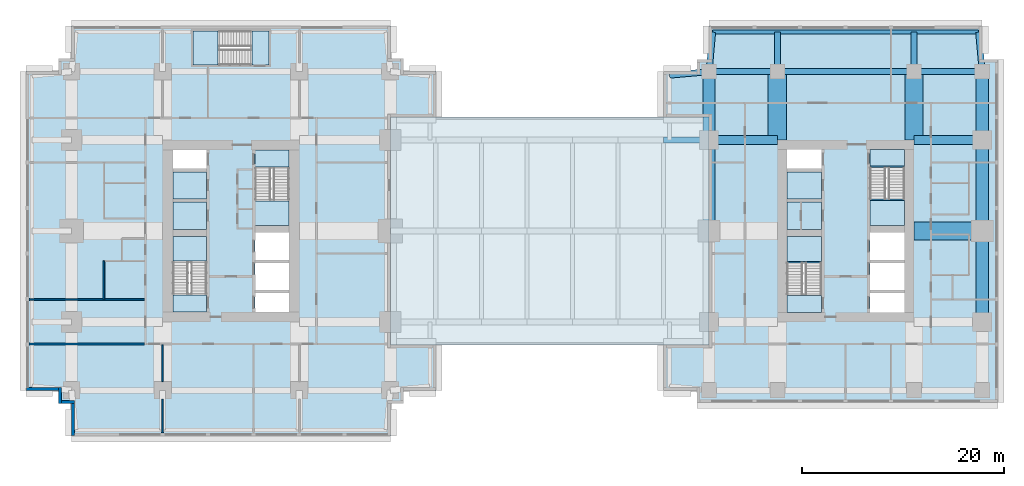
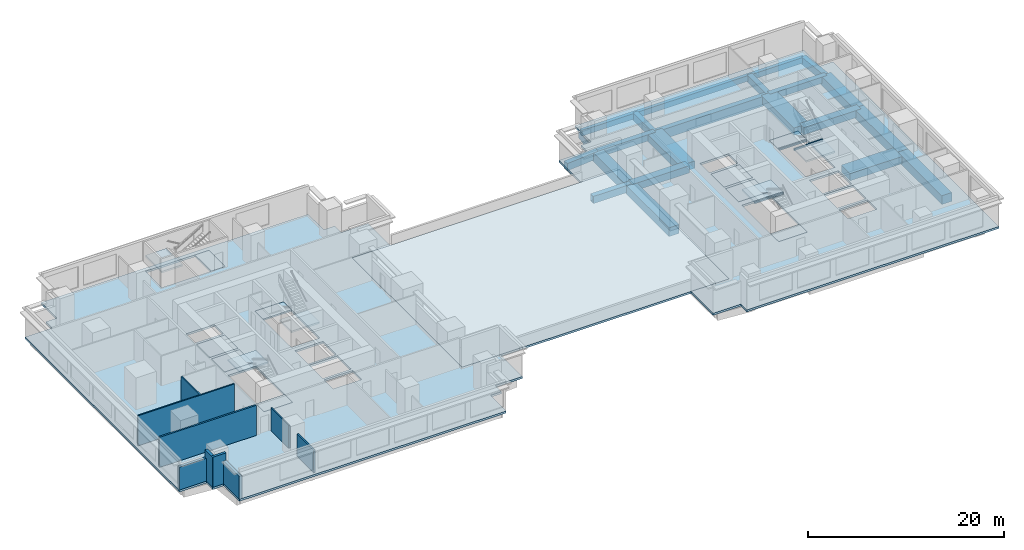
# One storey, part 2 of 10: 23 beams, 17 slabs, 9 walls, 5 elements without a shape of their own.
"""IFC4 building model written with IfcOpenShell, lengths in metres."""

from ifc_helpers import new_model, si_unit, direction, frame, frame_2d, origin, origin_2d, place, context, subcontext, project, spatial, polyline, rectangle, hollow_rectangle, i_section, outline, extrude, material, layer, layer_set, material_profile, profile_set, type_object, element, aggregate, save


model = new_model("IFC4")

# Units and contexts
model_context = context("Model", 3, precision=1e-05, world=origin(), true_north=direction((0.0, 1.0)))
body_context = subcontext(model_context, "Body", "Model", "MODEL_VIEW")
ifc_project = project(units=[si_unit("LENGTHUNIT", "METRE"), si_unit("AREAUNIT", "SQUARE_METRE"), si_unit("VOLUMEUNIT", "CUBIC_METRE"), si_unit("PLANEANGLEUNIT", "RADIAN"), si_unit("MASSUNIT", "GRAM", prefix="KILO")], contexts=[model_context])

# Site, building, storey
site_placement = place(None, origin())
site = spatial("IfcSite", under=ifc_project, at=site_placement, CompositionType="ELEMENT")
building_placement = place(site_placement, origin())
building = spatial("IfcBuilding", under=site, at=building_placement, Name="Namib Vertical Campus", CompositionType="ELEMENT")
storey_placement = place(building_placement, frame((0.0, 0.0, 137.0)))
storey = spatial("IfcBuildingStorey", under=building, at=storey_placement, Name="L32", CompositionType="ELEMENT", Elevation=137.0)

# Beams
ifc_material_1 = material(Name="Steel S355JR", Category="steel")
ifc_material_profile_1 = material_profile(ifc_material_1, hollow_rectangle(XDim=0.60009765625, YDim=0.89990234375, WallThickness=0.050048828125, at=origin_2d()))
ifc_profile_set_1 = profile_set([ifc_material_profile_1], Name="Steel S355JR")
beam_type_1 = type_object("IfcBeamType", Name="Bridge girder WB 900x600x50", PredefinedType="BEAM", material=ifc_profile_set_1)
beam_1_placement = place(storey_placement, frame((63.0, 29.25, -0.699951171875), z_axis=(1.0, 0.0, 0.0), x_axis=(0.0, 1.0, 0.0)))
element("IfcBeam", 1, at=beam_1_placement, inside=storey, type_object=beam_type_1, Name="Bridge girder BG1 L32", PredefinedType="BEAM", context=body_context, shape_type="SweptSolid", body=[
    extrude(hollow_rectangle(XDim=0.60009765625, YDim=0.89990234375, WallThickness=0.050048828125, at=origin_2d()), origin(), (0.0, 0.0, 1.0), 4.5),
])
ifc_material_2 = material(Name="Concrete C40/50", Category="concrete")
ifc_material_profile_2 = material_profile(ifc_material_2, rectangle(XDim=0.60009765625, YDim=0.89990234375, at=origin_2d()))
ifc_profile_set_2 = profile_set([ifc_material_profile_2], Name="Concrete C40/50")
beam_type_2 = type_object("IfcBeamType", Name="Cantilever girder RC 600x900", PredefinedType="BEAM", material=ifc_profile_set_2)
beam_2_placement = place(storey_placement, frame((67.5, 36.0, -0.699951171875), z_axis=(0.089411326146, 0.995994786511, 0.0), x_axis=(-0.995994786511, 0.089411326146, 0.0)))
element("IfcBeam", 2, at=beam_2_placement, inside=storey, type_object=beam_type_2, Name="Beam B3 L32", PredefinedType="BEAM", context=body_context, shape_type="SweptSolid", body=[
    extrude(rectangle(XDim=0.60009765625, YDim=0.89990234375, at=origin_2d()), origin(), (0.0, 0.0, 1.0), 3.91552734375),
])
for number, where, z_axis, x_axis, name in (
    (3, (74.25, 36.0, -0.699951171875), (0.0, 1.0, 0.0), (-1.0, 0.0, 0.0), "Beam B3 L32"),
    (4, (87.75, 36.0, -0.699951171875), (0.0, 1.0, 0.0), (-1.0, 0.0, 0.0), "Beam B3 L32"),
):
    element("IfcBeam", number, at=place(storey_placement, frame(where, z_axis=z_axis, x_axis=x_axis)), inside=storey, type_object=beam_type_2, Name=name, PredefinedType="BEAM", context=body_context, shape_type="SweptSolid", body=[
        extrude(rectangle(XDim=0.60009765625, YDim=0.89990234375, at=origin_2d()), origin(), (0.0, 0.0, 1.0), 3.89990234375),
    ])
for number, where, z_axis, x_axis, name in (
    (5, (94.5, 36.0, -0.699951171875), (-0.089411326146, 0.995994786511, 0.0), (-0.995994786511, -0.089411326146, 0.0), "Beam B3 L32"),
    (6, (67.5, 36.0, -0.699951171875), (-0.995994786511, -0.089411326146, 0.0), (0.089411326146, -0.995994786511, 0.0), "Beam B3 L32"),
):
    element("IfcBeam", number, at=place(storey_placement, frame(where, z_axis=z_axis, x_axis=x_axis)), inside=storey, type_object=beam_type_2, Name=name, PredefinedType="BEAM", context=body_context, shape_type="SweptSolid", body=[
        extrude(rectangle(XDim=0.60009765625, YDim=0.89990234375, at=origin_2d()), origin(), (0.0, 0.0, 1.0), 3.91552734375),
    ])
ifc_material_3 = material(Name="Concrete C40/50", Category="concrete")
ifc_material_profile_3 = material_profile(ifc_material_3, rectangle(XDim=0.39990234375, YDim=0.699951171875, at=origin_2d()))
ifc_profile_set_3 = profile_set([ifc_material_profile_3], Name="Concrete C40/50")
beam_type_3 = type_object("IfcBeamType", Name="Edge beam RC 400x700", PredefinedType="SPANDREL", material=ifc_profile_set_3)
beam_3_placement = place(storey_placement, frame((67.85009765625, 39.89990234375, -0.60009765625), z_axis=(1.0, 0.0, 0.0), x_axis=(0.0, 1.0, 0.0)))
element("IfcBeam", 7, at=beam_3_placement, inside=storey, type_object=beam_type_3, Name="Beam B4 L32", PredefinedType="SPANDREL", context=body_context, shape_type="SweptSolid", body=[
    extrude(rectangle(XDim=0.39990234375, YDim=0.699951171875, at=origin_2d()), origin(), (0.0, 0.0, 1.0), 26.2998046875),
])
ifc_material_4 = material(Name="Concrete C40/50", Category="concrete")
ifc_material_profile_4 = material_profile(ifc_material_4, rectangle(XDim=0.89990234375, YDim=0.89990234375, at=origin_2d()))
ifc_profile_set_4 = profile_set([ifc_material_profile_4], Name="Concrete C40/50")
beam_type_4 = type_object("IfcBeamType", Name="Face girder RC 900x900", PredefinedType="BEAM", material=ifc_profile_set_4)
for number, where, z_axis, x_axis, name in (
    (8, (67.5, 29.25, -0.699951171875), (1.0, 0.0, 0.0), (0.0, 1.0, 0.0), "Beam B10 L32"),
    (9, (94.5, 29.25, -0.699951171875), (-1.0, 0.0, 0.0), (0.0, -1.0, 0.0), "Beam B10 L32"),
):
    element("IfcBeam", number, at=place(storey_placement, frame(where, z_axis=z_axis, x_axis=x_axis)), inside=storey, type_object=beam_type_4, Name=name, PredefinedType="BEAM", context=body_context, shape_type="SweptSolid", body=[
        extrude(rectangle(XDim=0.89990234375, YDim=0.89990234375, at=origin_2d()), origin(), (0.0, 0.0, 1.0), 6.75),
    ])
ifc_material_5 = material(Name="Concrete C40/50", Category="concrete")
ifc_material_profile_5 = material_profile(ifc_material_5, rectangle(XDim=1.199951171875, YDim=1.10009765625, at=origin_2d()))
ifc_profile_set_5 = profile_set([ifc_material_profile_5], Name="Concrete C40/50")
beam_type_5 = type_object("IfcBeamType", Name="Face ring beam RC 1200x1100", PredefinedType="BEAM", material=ifc_profile_set_5)
beam_4_placement = place(storey_placement, frame((67.5, 20.25, -0.800048828125), z_axis=(0.0, 1.0, 0.0), x_axis=(-1.0, 0.0, 0.0)))
element("IfcBeam", 10, at=beam_4_placement, inside=storey, type_object=beam_type_5, Name="Beam B11 L32", PredefinedType="BEAM", context=body_context, shape_type="SweptSolid", body=[
    extrude(rectangle(XDim=1.199951171875, YDim=1.10009765625, at=origin_2d()), origin(), (0.0, 0.0, 1.0), 9.0),
])
beam_5_placement = place(storey_placement, frame((67.5, 29.25, -0.800048828125), z_axis=(0.0, 1.0, 0.0), x_axis=(-1.0, 0.0, 0.0)))
element("IfcBeam", 11, at=beam_5_placement, inside=storey, type_object=beam_type_5, Name="Beam B11 L32", PredefinedType="BEAM", context=body_context, shape_type="SweptSolid", body=[
    extrude(rectangle(XDim=1.199951171875, YDim=1.10009765625, at=origin_2d()), origin(), (0.0, 0.0, 1.0), 6.75),
])
for number, where, z_axis, x_axis, name in (
    (12, (94.5, 11.25, -0.800048828125), (0.0, 1.0, 0.0), (-1.0, 0.0, 0.0), "Beam B11 L32"),
    (13, (94.5, 20.25, -0.800048828125), (0.0, 1.0, 0.0), (-1.0, 0.0, 0.0), "Beam B11 L32"),
):
    element("IfcBeam", number, at=place(storey_placement, frame(where, z_axis=z_axis, x_axis=x_axis)), inside=storey, type_object=beam_type_5, Name=name, PredefinedType="BEAM", context=body_context, shape_type="SweptSolid", body=[
        extrude(rectangle(XDim=1.199951171875, YDim=1.10009765625, at=origin_2d()), origin(), (0.0, 0.0, 1.0), 9.0),
    ])
beam_6_placement = place(storey_placement, frame((94.5, 29.25, -0.800048828125), z_axis=(0.0, 1.0, 0.0), x_axis=(-1.0, 0.0, 0.0)))
element("IfcBeam", 14, at=beam_6_placement, inside=storey, type_object=beam_type_5, Name="Beam B11 L32", PredefinedType="BEAM", context=body_context, shape_type="SweptSolid", body=[
    extrude(rectangle(XDim=1.199951171875, YDim=1.10009765625, at=origin_2d()), origin(), (0.0, 0.0, 1.0), 6.75),
])
ifc_material_6 = material(Name="Steel S355JR", Category="steel")
ifc_material_profile_6 = material_profile(ifc_material_6, i_section(OverallWidth=0.14599609375, OverallDepth=0.25146484375, WebThickness=0.006103515625, FlangeThickness=0.008544921875, FilletRadius=0.007568359375, at=origin_2d()))
ifc_profile_set_6 = profile_set([ifc_material_profile_6], Name="Steel S355JR")
beam_type_6 = type_object("IfcBeamType", Name="Landing trimmer UB 254x146x31", PredefinedType="BEAM", material=ifc_profile_set_6)
for number, where, z_axis, x_axis, name in (
    (15, (75.199951171875, 17.153076171875, 1.874267578125), (1.0, 0.0, 0.0), (0.0, 1.0, 0.0), "Landing trimmer LT1 B-S1 L32 2"),
    (16, (83.39990234375, 26.572998046875, -0.125732421875), (1.0, 0.0, 0.0), (0.0, 1.0, 0.0), "Landing trimmer LT1 B-S2 L32 1"),
    (17, (83.39990234375, 23.346923828125, 1.874267578125), (1.0, 0.0, 0.0), (0.0, 1.0, 0.0), "Landing trimmer LT1 B-S2 L32 2"),
):
    element("IfcBeam", number, at=place(storey_placement, frame(where, z_axis=z_axis, x_axis=x_axis)), inside=storey, type_object=beam_type_6, Name=name, PredefinedType="BEAM", context=body_context, shape_type="SweptSolid", body=[
        extrude(i_section(OverallWidth=0.14599609375, OverallDepth=0.25146484375, WebThickness=0.006103515625, FlangeThickness=0.008544921875, FilletRadius=0.007568359375, at=origin_2d()), origin(), (0.0, 0.0, 1.0), 3.400146484375),
    ])
ifc_material_7 = material(Name="Concrete C40/50", Category="concrete")
ifc_material_profile_7 = material_profile(ifc_material_7, rectangle(XDim=0.60009765625, YDim=1.199951171875, at=origin_2d()))
ifc_profile_set_7 = profile_set([ifc_material_profile_7], Name="Concrete C40/50")
beam_type_7 = type_object("IfcBeamType", Name="Long-span ring beam RC 600x1200", PredefinedType="BEAM", material=ifc_profile_set_7)
beam_7_placement = place(storey_placement, frame((74.25, 36.0, -0.85009765625), z_axis=(1.0, 0.0, 0.0), x_axis=(0.0, 1.0, 0.0)))
element("IfcBeam", 18, at=beam_7_placement, inside=storey, type_object=beam_type_7, Name="Beam B9 L32", PredefinedType="BEAM", context=body_context, shape_type="SweptSolid", body=[
    extrude(rectangle(XDim=0.60009765625, YDim=1.199951171875, at=origin_2d()), origin(), (0.0, 0.0, 1.0), 13.5),
])
ifc_material_8 = material(Name="Concrete C40/50", Category="concrete")
ifc_material_profile_8 = material_profile(ifc_material_8, rectangle(XDim=1.800048828125, YDim=0.89990234375, at=origin_2d()))
ifc_profile_set_8 = profile_set([ifc_material_profile_8], Name="Concrete C40/50")
beam_type_8 = type_object("IfcBeamType", Name="Outrigger line girder RC 1800x900", PredefinedType="BEAM", material=ifc_profile_set_8)
for number, where, z_axis, x_axis, name in (
    (19, (74.25, 36.0, -0.699951171875), (0.0, -1.0, 0.0), (1.0, 0.0, 0.0), "Beam B12 L32"),
    (20, (87.75, 36.0, -0.699951171875), (0.0, -1.0, 0.0), (1.0, 0.0, 0.0), "Beam B12 L32"),
    (21, (94.5, 20.25, -0.699951171875), (-1.0, 0.0, 0.0), (0.0, -1.0, 0.0), "Beam B12 L32"),
):
    element("IfcBeam", number, at=place(storey_placement, frame(where, z_axis=z_axis, x_axis=x_axis)), inside=storey, type_object=beam_type_8, Name=name, PredefinedType="BEAM", context=body_context, shape_type="SweptSolid", body=[
        extrude(rectangle(XDim=1.800048828125, YDim=0.89990234375, at=origin_2d()), origin(), (0.0, 0.0, 1.0), 6.75),
    ])
ifc_material_9 = material(Name="Concrete C40/50", Category="concrete")
ifc_material_profile_9 = material_profile(ifc_material_9, rectangle(XDim=0.60009765625, YDim=0.800048828125, at=origin_2d()))
ifc_profile_set_9 = profile_set([ifc_material_profile_9], Name="Concrete C40/50")
beam_type_9 = type_object("IfcBeamType", Name="Ring beam RC 600x800", PredefinedType="BEAM", material=ifc_profile_set_9)
for number, where, z_axis, x_axis, name in (
    (22, (67.5, 36.0, -0.64990234375), (1.0, 0.0, 0.0), (0.0, 1.0, 0.0), "Beam B1 L32"),
    (23, (87.75, 36.0, -0.64990234375), (1.0, 0.0, 0.0), (0.0, 1.0, 0.0), "Beam B1 L32"),
):
    element("IfcBeam", number, at=place(storey_placement, frame(where, z_axis=z_axis, x_axis=x_axis)), inside=storey, type_object=beam_type_9, Name=name, PredefinedType="BEAM", context=body_context, shape_type="SweptSolid", body=[
        extrude(rectangle(XDim=0.60009765625, YDim=0.800048828125, at=origin_2d()), origin(), (0.0, 0.0, 1.0), 6.75),
    ])

# Slabs
ifc_material_10 = material(Name="Concrete C40/50", Category="concrete")
ifc_layer_1 = layer(ifc_material_10, 0.25)
ifc_layer_set_1 = layer_set([ifc_layer_1], Name="Concrete C40/50")
slab_type_1 = type_object("IfcSlabType", Name="Bridge roof slab 250", PredefinedType="ROOF", material=ifc_layer_set_1)
slab_1_placement = place(storey_placement, frame((0.0, 0.0, -0.25)))
element("IfcSlab", 24, at=slab_1_placement, inside=storey, type_object=slab_type_1, Name="Bridge roof (maintenance access only)", PredefinedType="ROOF", context=body_context, shape_type="SweptSolid", body=[
    extrude(outline(polyline([(36.0, 9.0), (67.5, 9.0), (67.5, 31.5), (36.0, 31.5), (36.0, 9.0)])), origin(), (0.0, 0.0, 1.0), 0.25),
])
ifc_material_11 = material(Name="Concrete C40/50", Category="concrete")
ifc_layer_2 = layer(ifc_material_11, 0.25)
ifc_layer_set_2 = layer_set([ifc_layer_2], Name="Concrete C40/50")
slab_type_2 = type_object("IfcSlabType", Name="Floor slab 250", PredefinedType="FLOOR", material=ifc_layer_set_2)
slab_2_placement = place(storey_placement, frame((0.0, 0.0, -0.25)))
element("IfcSlab", 25, at=slab_2_placement, inside=storey, type_object=slab_type_2, Name="Floor slab A L32", PredefinedType="FLOOR", context=body_context, shape_type="SweptSolid", body=[
    extrude(outline(polyline([(4.5, 3.199951171875), (4.5, 0.0), (36.0, 0.0), (36.0, 3.199951171875), (37.300048828125, 3.199951171875), (37.300048828125, 4.5), (40.5, 4.5), (40.5, 9.0), (36.0, 9.0), (36.0, 31.5), (40.5, 31.5), (40.5, 36.0), (37.300048828125, 36.0), (37.300048828125, 37.300048828125), (36.0, 37.300048828125), (36.0, 40.5), (4.5, 40.5), (4.5, 37.300048828125), (3.199951171875, 37.300048828125), (3.199951171875, 36.0), (0.0, 36.0), (0.0, 4.5), (3.199951171875, 4.5), (3.199951171875, 3.199951171875), (4.5, 3.199951171875)]), holes=[polyline([(14.5, 12.25), (17.85009765625, 12.25), (17.85009765625, 19.699951171875), (14.5, 19.699951171875), (14.5, 12.25)]), polyline([(22.64990234375, 20.800048828125), (26.0, 20.800048828125), (26.0, 28.25), (22.64990234375, 28.25), (22.64990234375, 20.800048828125)]), polyline([(22.64990234375, 12.25), (26.0, 12.25), (26.0, 14.10009765625), (22.64990234375, 14.10009765625), (22.64990234375, 12.25)]), polyline([(14.5, 20.39990234375), (17.85009765625, 20.39990234375), (17.85009765625, 23.10009765625), (14.5, 23.10009765625), (14.5, 20.39990234375)]), polyline([(14.5, 23.39990234375), (17.85009765625, 23.39990234375), (17.85009765625, 26.10009765625), (14.5, 26.10009765625), (14.5, 23.39990234375)]), polyline([(14.5, 26.39990234375), (17.85009765625, 26.39990234375), (17.85009765625, 28.25), (14.5, 28.25), (14.5, 26.39990234375)]), polyline([(22.64990234375, 14.39990234375), (26.0, 14.39990234375), (26.0, 17.10009765625), (22.64990234375, 17.10009765625), (22.64990234375, 14.39990234375)]), polyline([(22.64990234375, 17.39990234375), (26.0, 17.39990234375), (26.0, 20.10009765625), (22.64990234375, 20.10009765625), (22.64990234375, 17.39990234375)]), polyline([(16.5, 36.64990234375), (24.0, 36.64990234375), (24.0, 40.0), (16.5, 40.0), (16.5, 36.64990234375)])]), origin(), (0.0, 0.0, 1.0), 0.25),
])
slab_3_placement = place(storey_placement, frame((0.0, 0.0, -0.25)))
element("IfcSlab", 26, at=slab_3_placement, inside=storey, type_object=slab_type_2, Name="Floor slab B L32", PredefinedType="FLOOR", context=body_context, shape_type="SweptSolid", body=[
    extrude(outline(polyline([(63.0, 9.0), (63.0, 4.5), (66.300048828125, 4.5), (66.300048828125, 3.300048828125), (96.050048828125, 3.300048828125), (96.050048828125, 37.199951171875), (94.5, 37.199951171875), (94.5, 40.5), (67.5, 40.5), (67.5, 37.199951171875), (66.300048828125, 37.199951171875), (66.300048828125, 36.0), (63.0, 36.0), (63.0, 31.5), (67.5, 31.5), (67.5, 9.0), (63.0, 9.0)]), holes=[polyline([(75.199951171875, 12.199951171875), (78.60009765625, 12.199951171875), (78.60009765625, 19.699951171875), (75.199951171875, 19.699951171875), (75.199951171875, 12.199951171875)]), polyline([(83.39990234375, 20.800048828125), (86.800048828125, 20.800048828125), (86.800048828125, 28.300048828125), (83.39990234375, 28.300048828125), (83.39990234375, 20.800048828125)]), polyline([(83.39990234375, 12.199951171875), (86.800048828125, 12.199951171875), (86.800048828125, 14.10009765625), (83.39990234375, 14.10009765625), (83.39990234375, 12.199951171875)]), polyline([(75.199951171875, 20.39990234375), (78.60009765625, 20.39990234375), (78.60009765625, 23.10009765625), (75.199951171875, 23.10009765625), (75.199951171875, 20.39990234375)]), polyline([(75.199951171875, 23.39990234375), (78.60009765625, 23.39990234375), (78.60009765625, 26.10009765625), (75.199951171875, 26.10009765625), (75.199951171875, 23.39990234375)]), polyline([(75.199951171875, 26.39990234375), (78.60009765625, 26.39990234375), (78.60009765625, 28.300048828125), (75.199951171875, 28.300048828125), (75.199951171875, 26.39990234375)]), polyline([(83.39990234375, 14.39990234375), (86.800048828125, 14.39990234375), (86.800048828125, 17.10009765625), (83.39990234375, 17.10009765625), (83.39990234375, 14.39990234375)]), polyline([(83.39990234375, 17.39990234375), (86.800048828125, 17.39990234375), (86.800048828125, 20.10009765625), (83.39990234375, 20.10009765625), (83.39990234375, 17.39990234375)])]), origin(), (0.0, 0.0, 1.0), 0.25),
])
ifc_material_12 = material(Name="Concrete C40/50 precast", Category="concrete")
ifc_layer_3 = layer(ifc_material_12, 0.25)
ifc_layer_set_3 = layer_set([ifc_layer_3], Name="Concrete C40/50 precast")
slab_type_3 = type_object("IfcSlabType", Name="Shaft infill floor 250", PredefinedType="FLOOR", material=ifc_layer_set_3)
slab_4_placement = place(storey_placement, frame((0.0, 0.0, -0.25)))
element("IfcSlab", 27, at=slab_4_placement, inside=storey, type_object=slab_type_3, Name="Shaft infill floor A L32 P1", PredefinedType="FLOOR", context=body_context, shape_type="SweptSolid", body=[
    extrude(outline(polyline([(14.5, 20.39990234375), (17.85009765625, 20.39990234375), (17.85009765625, 23.10009765625), (14.5, 23.10009765625), (14.5, 20.39990234375)])), origin(), (0.0, 0.0, 1.0), 0.25),
])
slab_5_placement = place(storey_placement, frame((0.0, 0.0, -0.25)))
element("IfcSlab", 28, at=slab_5_placement, inside=storey, type_object=slab_type_3, Name="Shaft infill floor A L32 P2", PredefinedType="FLOOR", context=body_context, shape_type="SweptSolid", body=[
    extrude(outline(polyline([(14.5, 23.39990234375), (17.85009765625, 23.39990234375), (17.85009765625, 26.10009765625), (14.5, 26.10009765625), (14.5, 23.39990234375)])), origin(), (0.0, 0.0, 1.0), 0.25),
])
slab_6_placement = place(storey_placement, frame((0.0, 0.0, -0.25)))
element("IfcSlab", 29, at=slab_6_placement, inside=storey, type_object=slab_type_3, Name="Shaft infill floor B L32 P1", PredefinedType="FLOOR", context=body_context, shape_type="SweptSolid", body=[
    extrude(outline(polyline([(75.199951171875, 20.39990234375), (78.60009765625, 20.39990234375), (78.60009765625, 23.10009765625), (75.199951171875, 23.10009765625), (75.199951171875, 20.39990234375)])), origin(), (0.0, 0.0, 1.0), 0.25),
])
slab_7_placement = place(storey_placement, frame((0.0, 0.0, -0.25)))
element("IfcSlab", 30, at=slab_7_placement, inside=storey, type_object=slab_type_3, Name="Shaft infill floor B L32 P2", PredefinedType="FLOOR", context=body_context, shape_type="SweptSolid", body=[
    extrude(outline(polyline([(75.199951171875, 23.39990234375), (78.60009765625, 23.39990234375), (78.60009765625, 26.10009765625), (75.199951171875, 26.10009765625), (75.199951171875, 23.39990234375)])), origin(), (0.0, 0.0, 1.0), 0.25),
])

# Stair, slabs
ifc_material_13 = material(Name="Concrete C40/50 precast", Category="concrete")
stair_type_1 = type_object("IfcStairType", Name="Exit stair 4000 rise 24 risers 3350 wide", PredefinedType="HALF_TURN_STAIR", material=ifc_material_13)
stair_1_placement = place(storey_placement, origin())
stair_1 = element("IfcStair", 31, at=stair_1_placement, inside=storey, type_object=stair_type_1, Name="Exit stair A-S1 L32", PredefinedType="HALF_TURN_STAIR")
ifc_material_14 = material(Name="Concrete C40/50", Category="concrete")
ifc_layer_4 = layer(ifc_material_14, 0.199951171875)
ifc_layer_set_4 = layer_set([ifc_layer_4], Name="Concrete C40/50")
slab_type_4 = type_object("IfcSlabType", Name="Stair landing 200", PredefinedType="LANDING", material=ifc_layer_set_4)
slab_8_placement = place(storey_placement, frame((0.0, 0.0, -0.199951171875)))
slab_8 = element("IfcSlab", 32, at=slab_8_placement, type_object=slab_type_4, Name="A-S1 landing 1", PredefinedType="LANDING", context=body_context, shape_type="SweptSolid", body=[
    extrude(outline(polyline([(14.5, 12.25), (17.85009765625, 12.25), (17.85009765625, 13.90380859375), (14.5, 13.90380859375), (14.5, 12.25)])), origin(), (0.0, 0.0, 1.0), 0.199951171875),
])
slab_9_placement = place(storey_placement, frame((0.0, 0.0, 1.800048828125)))
slab_9 = element("IfcSlab", 33, at=slab_9_placement, type_object=slab_type_4, Name="A-S1 landing 2", PredefinedType="LANDING", context=body_context, shape_type="SweptSolid", body=[
    extrude(outline(polyline([(14.5, 17.276123046875), (17.85009765625, 17.276123046875), (17.85009765625, 19.699951171875), (14.5, 19.699951171875), (14.5, 17.276123046875)])), origin(), (0.0, 0.0, 1.0), 0.199951171875),
])
aggregate(stair_1, [slab_8, slab_9])

stair_2_placement = place(storey_placement, origin())
stair_2 = element("IfcStair", 34, at=stair_2_placement, inside=storey, type_object=stair_type_1, Name="Exit stair A-S2 L32", PredefinedType="HALF_TURN_STAIR")
slab_10_placement = place(storey_placement, frame((0.0, 0.0, -0.199951171875)))
slab_10 = element("IfcSlab", 35, at=slab_10_placement, type_object=slab_type_4, Name="A-S2 landing 1", PredefinedType="LANDING", context=body_context, shape_type="SweptSolid", body=[
    extrude(outline(polyline([(22.64990234375, 26.59619140625), (26.0, 26.59619140625), (26.0, 28.25), (22.64990234375, 28.25), (22.64990234375, 26.59619140625)])), origin(), (0.0, 0.0, 1.0), 0.199951171875),
])
slab_11_placement = place(storey_placement, frame((0.0, 0.0, 1.800048828125)))
slab_11 = element("IfcSlab", 36, at=slab_11_placement, type_object=slab_type_4, Name="A-S2 landing 2", PredefinedType="LANDING", context=body_context, shape_type="SweptSolid", body=[
    extrude(outline(polyline([(22.64990234375, 20.800048828125), (26.0, 20.800048828125), (26.0, 23.223876953125), (22.64990234375, 23.223876953125), (22.64990234375, 20.800048828125)])), origin(), (0.0, 0.0, 1.0), 0.199951171875),
])
aggregate(stair_2, [slab_10, slab_11])

ifc_material_15 = material(Name="Concrete C40/50 precast", Category="concrete")
stair_type_2 = type_object("IfcStairType", Name="Exit stair 4000 rise 24 risers 3400 wide", PredefinedType="HALF_TURN_STAIR", material=ifc_material_15)
stair_3_placement = place(storey_placement, origin())
stair_3 = element("IfcStair", 37, at=stair_3_placement, inside=storey, type_object=stair_type_2, Name="Exit stair B-S1 L32", PredefinedType="HALF_TURN_STAIR")
slab_12_placement = place(storey_placement, frame((0.0, 0.0, -0.199951171875)))
slab_12 = element("IfcSlab", 38, at=slab_12_placement, type_object=slab_type_4, Name="B-S1 landing 1", PredefinedType="LANDING", context=body_context, shape_type="SweptSolid", body=[
    extrude(outline(polyline([(75.199951171875, 12.199951171875), (78.60009765625, 12.199951171875), (78.60009765625, 13.85400390625), (75.199951171875, 13.85400390625), (75.199951171875, 12.199951171875)])), origin(), (0.0, 0.0, 1.0), 0.199951171875),
])
slab_13_placement = place(storey_placement, frame((0.0, 0.0, 1.800048828125)))
slab_13 = element("IfcSlab", 39, at=slab_13_placement, type_object=slab_type_4, Name="B-S1 landing 2", PredefinedType="LANDING", context=body_context, shape_type="SweptSolid", body=[
    extrude(outline(polyline([(75.199951171875, 17.22607421875), (78.60009765625, 17.22607421875), (78.60009765625, 19.699951171875), (75.199951171875, 19.699951171875), (75.199951171875, 17.22607421875)])), origin(), (0.0, 0.0, 1.0), 0.199951171875),
])
aggregate(stair_3, [slab_12, slab_13])

stair_4_placement = place(storey_placement, origin())
stair_4 = element("IfcStair", 40, at=stair_4_placement, inside=storey, type_object=stair_type_2, Name="Exit stair B-S2 L32", PredefinedType="HALF_TURN_STAIR")
slab_14_placement = place(storey_placement, frame((0.0, 0.0, -0.199951171875)))
slab_14 = element("IfcSlab", 41, at=slab_14_placement, type_object=slab_type_4, Name="B-S2 landing 1", PredefinedType="LANDING", context=body_context, shape_type="SweptSolid", body=[
    extrude(outline(polyline([(83.39990234375, 26.64599609375), (86.800048828125, 26.64599609375), (86.800048828125, 28.300048828125), (83.39990234375, 28.300048828125), (83.39990234375, 26.64599609375)])), origin(), (0.0, 0.0, 1.0), 0.199951171875),
])
slab_15_placement = place(storey_placement, frame((0.0, 0.0, 1.800048828125)))
slab_15 = element("IfcSlab", 42, at=slab_15_placement, type_object=slab_type_4, Name="B-S2 landing 2", PredefinedType="LANDING", context=body_context, shape_type="SweptSolid", body=[
    extrude(outline(polyline([(83.39990234375, 20.800048828125), (86.800048828125, 20.800048828125), (86.800048828125, 23.27392578125), (83.39990234375, 23.27392578125), (83.39990234375, 20.800048828125)])), origin(), (0.0, 0.0, 1.0), 0.199951171875),
])
aggregate(stair_4, [slab_14, slab_15])

stair_5_placement = place(storey_placement, origin())
stair_5 = element("IfcStair", 43, at=stair_5_placement, inside=storey, type_object=stair_type_1, Name="Exit stair A-S3 L32", PredefinedType="HALF_TURN_STAIR")
slab_16_placement = place(storey_placement, frame((0.0, 0.0, -0.199951171875)))
slab_16 = element("IfcSlab", 44, at=slab_16_placement, type_object=slab_type_4, Name="A-S3 landing 1", PredefinedType="LANDING", context=body_context, shape_type="SweptSolid", body=[
    extrude(outline(polyline([(22.34619140625, 36.64990234375), (22.34619140625, 40.0), (24.0, 40.0), (24.0, 36.64990234375), (22.34619140625, 36.64990234375)])), origin(), (0.0, 0.0, 1.0), 0.199951171875),
])
slab_17_placement = place(storey_placement, frame((0.0, 0.0, 1.800048828125)))
slab_17 = element("IfcSlab", 45, at=slab_17_placement, type_object=slab_type_4, Name="A-S3 landing 2", PredefinedType="LANDING", context=body_context, shape_type="SweptSolid", body=[
    extrude(outline(polyline([(16.5, 36.64990234375), (16.5, 40.0), (18.973876953125, 40.0), (18.973876953125, 36.64990234375), (16.5, 36.64990234375)])), origin(), (0.0, 0.0, 1.0), 0.199951171875),
])
aggregate(stair_5, [slab_16, slab_17])

# Walls
ifc_material_16 = material(Name="Concrete masonry", Category="masonry")
ifc_layer_5 = layer(ifc_material_16, 0.199951171875)
ifc_layer_set_5 = layer_set([ifc_layer_5], Name="Corridor wall 200")
wall_type_1 = type_object("IfcWallType", Name="Corridor wall 200", PredefinedType="SOLIDWALL", material=ifc_layer_set_5)
wall_1_placement = place(storey_placement, frame((0.300048828125, 9.10009765625, 0.0), z_axis=(0.0, 0.0, 1.0), x_axis=(1.0, 0.0, 0.0)))
element("IfcWall", 46, at=wall_1_placement, inside=storey, type_object=wall_type_1, Name="Partition A L32 BSW", PredefinedType="SOLIDWALL", context=body_context, shape_type="SweptSolid", body=[
    extrude(rectangle(XDim=11.39990234375, YDim=0.199951171875, at=frame_2d((5.699951171875, 0.0))), origin(), (0.0, 0.0, 1.0), 3.75),
])
ifc_material_17 = material(Name="Concrete C40/50", Category="concrete")
ifc_layer_6 = layer(ifc_material_17, 0.300048828125)
ifc_layer_set_6 = layer_set([ifc_layer_6], Name="Concrete C40/50")
wall_type_2 = type_object("IfcWallType", Name="External wall 300 board-marked concrete", PredefinedType="STANDARD", material=ifc_layer_set_6)
for number, where, z_axis, x_axis, name in (
    (47, (4.64990234375, 3.47998046875, 0.0), (0.0, 0.0, 1.0), (0.0, -1.0, 0.0), "External wall L32 F01"),
    (48, (0.02001953125, 4.64990234375, 0.0), (0.0, 0.0, 1.0), (1.0, 0.0, 0.0), "External wall L32 F22"),
):
    element("IfcWall", number, at=place(storey_placement, frame(where, z_axis=z_axis, x_axis=x_axis)), inside=storey, type_object=wall_type_2, Name=name, PredefinedType="STANDARD", context=body_context, shape_type="SweptSolid", body=[
        extrude(rectangle(XDim=3.4599609375, YDim=0.300048828125, at=frame_2d((1.72998046875, 0.0))), origin(), (0.0, 0.0, 1.0), 2.85009765625),
    ])
for number, where, z_axis, x_axis, name in (
    (49, (3.35009765625, 4.780029296875, 0.0), (0.0, 0.0, 1.0), (0.0, -1.0, 0.0), "External wall L32 F23"),
    (50, (3.219970703125, 3.35009765625, 0.0), (0.0, 0.0, 1.0), (1.0, 0.0, 0.0), "External wall L32 F24"),
):
    element("IfcWall", number, at=place(storey_placement, frame(where, z_axis=z_axis, x_axis=x_axis)), inside=storey, type_object=wall_type_2, Name=name, PredefinedType="STANDARD", context=body_context, shape_type="SweptSolid", body=[
        extrude(rectangle(XDim=1.56005859375, YDim=0.300048828125, at=frame_2d((0.780029296875, 0.0))), origin(), (0.0, 0.0, 1.0), 3.75),
    ])
ifc_material_18 = material(Name="Gypsum board on steel studs", Category="steel")
ifc_layer_7 = layer(ifc_material_18, 0.14990234375)
ifc_layer_set_7 = layer_set([ifc_layer_7], Name="Gypsum board on steel studs")
wall_type_3 = type_object("IfcWallType", Name="Partition 150", PredefinedType="PARTITIONING", material=ifc_layer_set_7)
wall_2_placement = place(storey_placement, frame((13.5, 0.300048828125, 0.0), z_axis=(0.0, 0.0, 1.0), x_axis=(0.0, 1.0, 0.0)))
element("IfcWall", 51, at=wall_2_placement, inside=storey, type_object=wall_type_3, Name="Partition A L32 PS1", PredefinedType="PARTITIONING", context=body_context, shape_type="SweptSolid", body=[
    extrude(rectangle(XDim=3.329833984375, YDim=0.14990234375, at=frame_2d((1.6650390625, 0.0))), origin(), (0.0, 0.0, 1.0), 2.85009765625),
])
wall_3_placement = place(storey_placement, frame((13.5, 5.3701171875, 0.0), z_axis=(0.0, 0.0, 1.0), x_axis=(0.0, 1.0, 0.0)))
element("IfcWall", 52, at=wall_3_placement, inside=storey, type_object=wall_type_3, Name="Partition A L32 PS1", PredefinedType="PARTITIONING", context=body_context, shape_type="SweptSolid", body=[
    extrude(rectangle(XDim=3.6298828125, YDim=0.14990234375, at=frame_2d((1.81494140625, 0.0))), origin(), (0.0, 0.0, 1.0), 2.85009765625),
])
wall_4_placement = place(storey_placement, frame((0.300048828125, 13.5, 0.0), z_axis=(0.0, 0.0, 1.0), x_axis=(1.0, 0.0, 0.0)))
element("IfcWall", 53, at=wall_4_placement, inside=storey, type_object=wall_type_3, Name="Partition A L32 PW1", PredefinedType="PARTITIONING", context=body_context, shape_type="SweptSolid", body=[
    extrude(rectangle(XDim=11.39990234375, YDim=0.14990234375, at=frame_2d((5.699951171875, 0.0))), origin(), (0.0, 0.0, 1.0), 3.75),
])
wall_5_placement = place(storey_placement, frame((7.699951171875, 13.5, 0.0), z_axis=(0.0, 0.0, 1.0), x_axis=(0.0, 1.0, 0.0)))
element("IfcWall", 54, at=wall_5_placement, inside=storey, type_object=wall_type_3, Name="Partition A L32 WB1", PredefinedType="PARTITIONING", context=body_context, shape_type="SweptSolid", body=[
    extrude(rectangle(XDim=3.800048828125, YDim=0.14990234375, at=frame_2d((1.89990234375, 0.0))), origin(), (0.0, 0.0, 1.0), 3.75),
])

save(model, "model.ifc")
